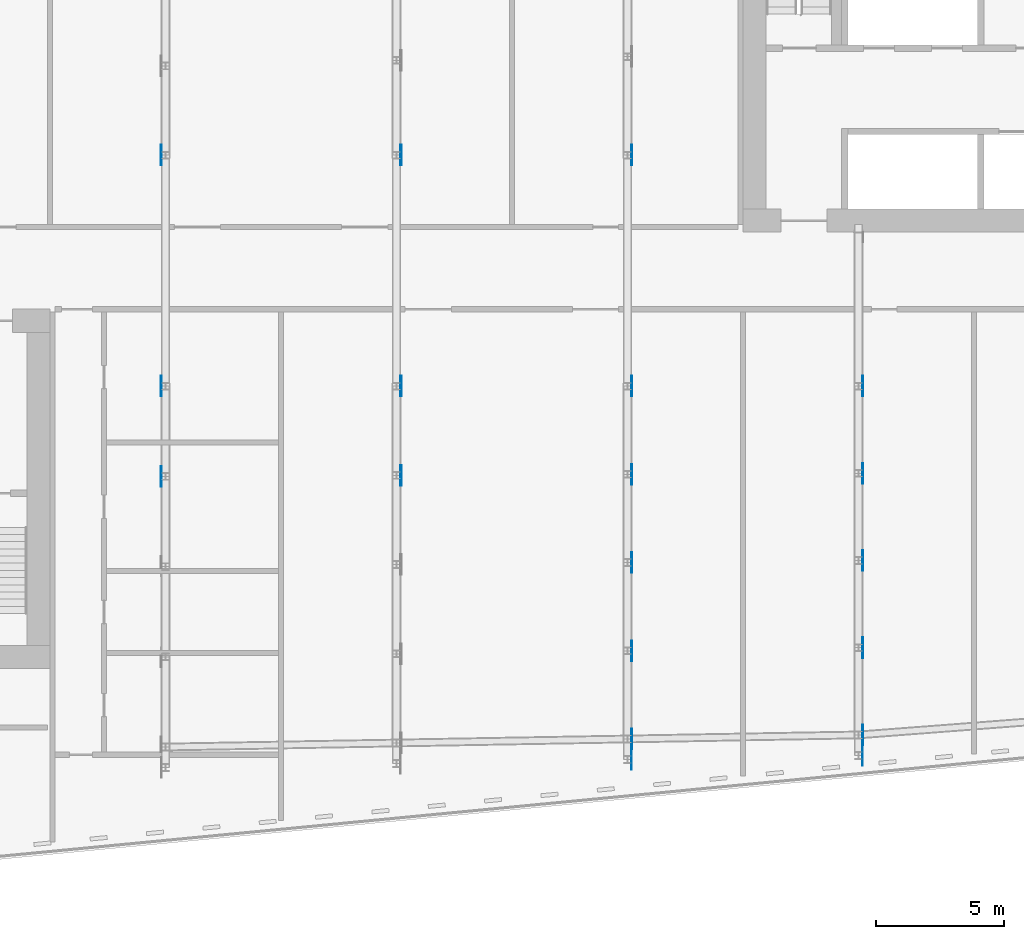
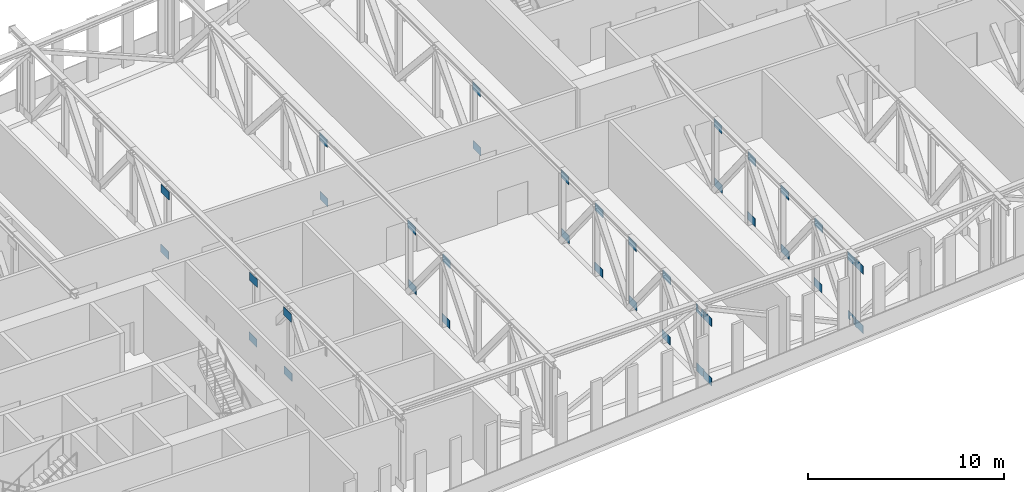
# One storey, part 14 of 26: 38 discrete accessories.
"""IFC4 building model written with IfcOpenShell, lengths in metres."""

from ifc_helpers import new_model, si_unit, direction, frame, origin, place, context, subcontext, project, spatial, polyline, outline, extrude, material, layer, layer_set, type_object, element, save


model = new_model("IFC4")

# Units and contexts
model_context = context("Model", 3, precision=1e-05, world=origin(), true_north=direction((0.0, 1.0)))
body_context = subcontext(model_context, "Body", "Model", "MODEL_VIEW")
ifc_project = project(units=[si_unit("LENGTHUNIT", "METRE"), si_unit("AREAUNIT", "SQUARE_METRE"), si_unit("VOLUMEUNIT", "CUBIC_METRE"), si_unit("PLANEANGLEUNIT", "RADIAN"), si_unit("MASSUNIT", "GRAM", prefix="KILO")], contexts=[model_context])

# Site, building, storey
site_placement = place(None, origin())
site = spatial("IfcSite", under=ifc_project, at=site_placement, CompositionType="ELEMENT")
building_placement = place(site_placement, origin())
building = spatial("IfcBuilding", under=site, at=building_placement, Name="Kajstack Hotel Tower", CompositionType="ELEMENT")
storey_placement = place(building_placement, frame((0.0, 0.0, 206.5)))
storey = spatial("IfcBuildingStorey", under=building, at=storey_placement, Name="L50", CompositionType="ELEMENT", Elevation=206.5)

# Discrete accessories
ifc_material = material(Name="Steel S355J2", Category="steel")
ifc_layer = layer(ifc_material, 0.02001953125)
ifc_layer_set = layer_set([ifc_layer], Name="GUSSET PLATE")
discrete_accessory_type = type_object("IfcDiscreteAccessoryType", Name="GUSSET PLATE", PredefinedType="BRACKET", material=ifc_layer_set)
for number, where, z_axis, x_axis, name in (
    (1, (-9.159912109375, -8.015625, 0.0), (1.0, 0.0, 0.0), (0.0, 1.0, 0.0), "Gusset plate L50-509"),
    (2, (-9.195068359375, -8.015625, 3.699951171875), (1.0, 0.0, 0.0), (0.0, 1.0, 0.0), "Gusset plate L50-510"),
    (3, (-9.195068359375, -4.5, 0.0), (1.0, 0.0, 0.0), (0.0, 1.0, 0.0), "Gusset plate L50-511"),
    (4, (-9.159912109375, -4.5, 3.699951171875), (1.0, 0.0, 0.0), (0.0, 1.0, 0.0), "Gusset plate L50-512"),
    (5, (-9.195068359375, 4.5, 0.0), (1.0, 0.0, 0.0), (0.0, 1.0, 0.0), "Gusset plate L50-513"),
    (6, (-9.159912109375, 4.5, 3.699951171875), (1.0, 0.0, 0.0), (0.0, 1.0, 0.0), "Gusset plate L50-514"),
    (7, (0.139892578125, -7.976318359375, 0.0), (1.0, 0.0, 0.0), (0.0, 1.0, 0.0), "Gusset plate L50-534"),
    (8, (0.175048828125, -7.976318359375, 3.699951171875), (1.0, 0.0, 0.0), (0.0, 1.0, 0.0), "Gusset plate L50-535"),
    (9, (0.175048828125, -4.5, 0.0), (1.0, 0.0, 0.0), (0.0, 1.0, 0.0), "Gusset plate L50-536"),
    (10, (0.139892578125, -4.5, 3.699951171875), (1.0, 0.0, 0.0), (0.0, 1.0, 0.0), "Gusset plate L50-537"),
    (11, (0.175048828125, 4.5, 0.0), (1.0, 0.0, 0.0), (0.0, 1.0, 0.0), "Gusset plate L50-538"),
    (12, (0.139892578125, 4.5, 3.699951171875), (1.0, 0.0, 0.0), (0.0, 1.0, 0.0), "Gusset plate L50-539"),
    (13, (9.139892578125, -19.04833984375, 0.0), (1.0, 0.0, 0.0), (0.0, 1.0, 0.0), "Gusset plate L50-550"),
    (14, (9.139892578125, -19.04833984375, 3.699951171875), (1.0, 0.0, 0.0), (0.0, 1.0, 0.0), "Gusset plate L50-551"),
    (15, (9.175048828125, -18.248291015625, 0.0), (1.0, 0.0, 0.0), (0.0, 1.0, 0.0), "Gusset plate L50-552"),
):
    element("IfcDiscreteAccessory", number, at=place(storey_placement, frame(where, z_axis=z_axis, x_axis=x_axis)), inside=storey, type_object=discrete_accessory_type, Name=name, PredefinedType="BRACKET", context=body_context, shape_type="SweptSolid", body=[
        extrude(outline(polyline([(-0.39990234375, 0.0), (0.39990234375, 0.0), (0.39990234375, 0.5), (-0.39990234375, 0.5), (-0.39990234375, 0.0)])), origin(), (0.0, 0.0, 1.0), 0.02001953125),
    ])
discrete_accessory_1_placement = place(storey_placement, frame((9.139892578125, -18.248291015625, 3.699951171875), z_axis=(1.0, 0.0, 0.0), x_axis=(0.0, 1.0, 0.0)))
element("IfcDiscreteAccessory", 16, at=discrete_accessory_1_placement, inside=storey, type_object=discrete_accessory_type, Name="Gusset plate L50-553", PredefinedType="BRACKET", context=body_context, shape_type="SweptSolid", body=[
    extrude(outline(polyline([(0.39990234375, 0.5), (0.189208984375, 0.5), (0.192626953125, 0.40234375), (0.1904296875, 0.365966796875), (0.18115234375, 0.330322265625), (0.1650390625, 0.297607421875), (0.142822265625, 0.268310546875), (0.1298828125, 0.255615234375), (0.10009765625, 0.234130859375), (0.06689453125, 0.218994140625), (0.03125, 0.21044921875), (0.012939453125, 0.208740234375), (-0.023681640625, 0.211181640625), (-0.04150390625, 0.21484375), (-0.075927734375, 0.2275390625), (-0.091796875, 0.236572265625), (-0.12109375, 0.258544921875), (-0.145263671875, 0.2861328125), (-0.163818359375, 0.317626953125), (-0.170654296875, 0.334716796875), (-0.178955078125, 0.370361328125), (-0.184814453125, 0.5), (-0.39990234375, 0.5), (-0.39990234375, 0.0), (0.39990234375, 0.0), (0.39990234375, 0.5)])), origin(), (0.0, 0.0, 1.0), 0.02001953125),
])
for number, where, z_axis, x_axis, name in (
    (17, (9.139892578125, -14.811279296875, 0.0), (1.0, 0.0, 0.0), (0.0, 1.0, 0.0), "Gusset plate L50-554"),
    (18, (9.175048828125, -14.811279296875, 3.699951171875), (1.0, 0.0, 0.0), (0.0, 1.0, 0.0), "Gusset plate L50-555"),
    (19, (9.175048828125, -11.374267578125, 0.0), (1.0, 0.0, 0.0), (0.0, 1.0, 0.0), "Gusset plate L50-556"),
    (20, (9.139892578125, -11.374267578125, 3.699951171875), (1.0, 0.0, 0.0), (0.0, 1.0, 0.0), "Gusset plate L50-557"),
    (21, (9.139892578125, -7.93701171875, 0.0), (1.0, 0.0, 0.0), (0.0, 1.0, 0.0), "Gusset plate L50-558"),
    (22, (9.175048828125, -7.93701171875, 3.699951171875), (1.0, 0.0, 0.0), (0.0, 1.0, 0.0), "Gusset plate L50-559"),
    (23, (9.175048828125, -4.5, 0.0), (1.0, 0.0, 0.0), (0.0, 1.0, 0.0), "Gusset plate L50-560"),
    (24, (9.139892578125, -4.5, 3.699951171875), (1.0, 0.0, 0.0), (0.0, 1.0, 0.0), "Gusset plate L50-561"),
    (25, (9.175048828125, 4.5, 0.0), (1.0, 0.0, 0.0), (0.0, 1.0, 0.0), "Gusset plate L50-562"),
    (26, (9.139892578125, 4.5, 3.699951171875), (1.0, 0.0, 0.0), (0.0, 1.0, 0.0), "Gusset plate L50-563"),
    (27, (18.139892578125, -18.89111328125, 0.0), (1.0, 0.0, 0.0), (0.0, 1.0, 0.0), "Gusset plate L50-574"),
    (28, (18.139892578125, -18.89111328125, 3.699951171875), (1.0, 0.0, 0.0), (0.0, 1.0, 0.0), "Gusset plate L50-575"),
):
    element("IfcDiscreteAccessory", number, at=place(storey_placement, frame(where, z_axis=z_axis, x_axis=x_axis)), inside=storey, type_object=discrete_accessory_type, Name=name, PredefinedType="BRACKET", context=body_context, shape_type="SweptSolid", body=[
        extrude(outline(polyline([(-0.39990234375, 0.0), (0.39990234375, 0.0), (0.39990234375, 0.5), (-0.39990234375, 0.5), (-0.39990234375, 0.0)])), origin(), (0.0, 0.0, 1.0), 0.02001953125),
    ])
discrete_accessory_2_placement = place(storey_placement, frame((18.175048828125, -18.09130859375, 0.0), z_axis=(1.0, 0.0, 0.0), x_axis=(0.0, 1.0, 0.0)))
element("IfcDiscreteAccessory", 29, at=discrete_accessory_2_placement, inside=storey, type_object=discrete_accessory_type, Name="Gusset plate L50-576", PredefinedType="BRACKET", context=body_context, shape_type="SweptSolid", body=[
    extrude(outline(polyline([(-0.39990234375, 0.0), (-0.1875, 0.0), (-0.1845703125, 0.03564453125), (-0.18017578125, 0.055419921875), (-0.155029296875, 0.2109375), (-0.145751953125, 0.246337890625), (-0.129638671875, 0.279296875), (-0.119140625, 0.29443359375), (-0.09423828125, 0.321044921875), (-0.064453125, 0.342529296875), (-0.04833984375, 0.35107421875), (-0.013671875, 0.36279296875), (0.022705078125, 0.36767578125), (0.041015625, 0.367431640625), (0.0771484375, 0.361572265625), (0.111572265625, 0.348876953125), (0.12744140625, 0.33984375), (0.15673828125, 0.31787109375), (0.16943359375, 0.3046875), (0.180908203125, 0.290283203125), (0.19921875, 0.258544921875), (0.211181640625, 0.22412109375), (0.21435546875, 0.2060546875), (0.2158203125, 0.16943359375), (0.189208984375, 0.0), (0.39990234375, 0.0), (0.39990234375, 0.5), (-0.39990234375, 0.5), (-0.39990234375, 0.0)])), origin(), (0.0, 0.0, 1.0), 0.02001953125),
])
for number, where, z_axis, x_axis, name in (
    (30, (18.139892578125, -18.09130859375, 3.699951171875), (1.0, 0.0, 0.0), (0.0, 1.0, 0.0), "Gusset plate L50-577"),
    (31, (18.139892578125, -14.693359375, 0.0), (1.0, 0.0, 0.0), (0.0, 1.0, 0.0), "Gusset plate L50-578"),
    (32, (18.175048828125, -14.693359375, 3.699951171875), (1.0, 0.0, 0.0), (0.0, 1.0, 0.0), "Gusset plate L50-579"),
    (33, (18.175048828125, -11.295654296875, 0.0), (1.0, 0.0, 0.0), (0.0, 1.0, 0.0), "Gusset plate L50-580"),
    (34, (18.139892578125, -11.295654296875, 3.699951171875), (1.0, 0.0, 0.0), (0.0, 1.0, 0.0), "Gusset plate L50-581"),
    (35, (18.139892578125, -7.897705078125, 0.0), (1.0, 0.0, 0.0), (0.0, 1.0, 0.0), "Gusset plate L50-582"),
    (36, (18.175048828125, -7.897705078125, 3.699951171875), (1.0, 0.0, 0.0), (0.0, 1.0, 0.0), "Gusset plate L50-583"),
    (37, (18.175048828125, -4.5, 0.0), (1.0, 0.0, 0.0), (0.0, 1.0, 0.0), "Gusset plate L50-584"),
    (38, (18.139892578125, -4.5, 3.699951171875), (1.0, 0.0, 0.0), (0.0, 1.0, 0.0), "Gusset plate L50-585"),
):
    element("IfcDiscreteAccessory", number, at=place(storey_placement, frame(where, z_axis=z_axis, x_axis=x_axis)), inside=storey, type_object=discrete_accessory_type, Name=name, PredefinedType="BRACKET", context=body_context, shape_type="SweptSolid", body=[
        extrude(outline(polyline([(-0.39990234375, 0.0), (0.39990234375, 0.0), (0.39990234375, 0.5), (-0.39990234375, 0.5), (-0.39990234375, 0.0)])), origin(), (0.0, 0.0, 1.0), 0.02001953125),
    ])

save(model, "model.ifc")
